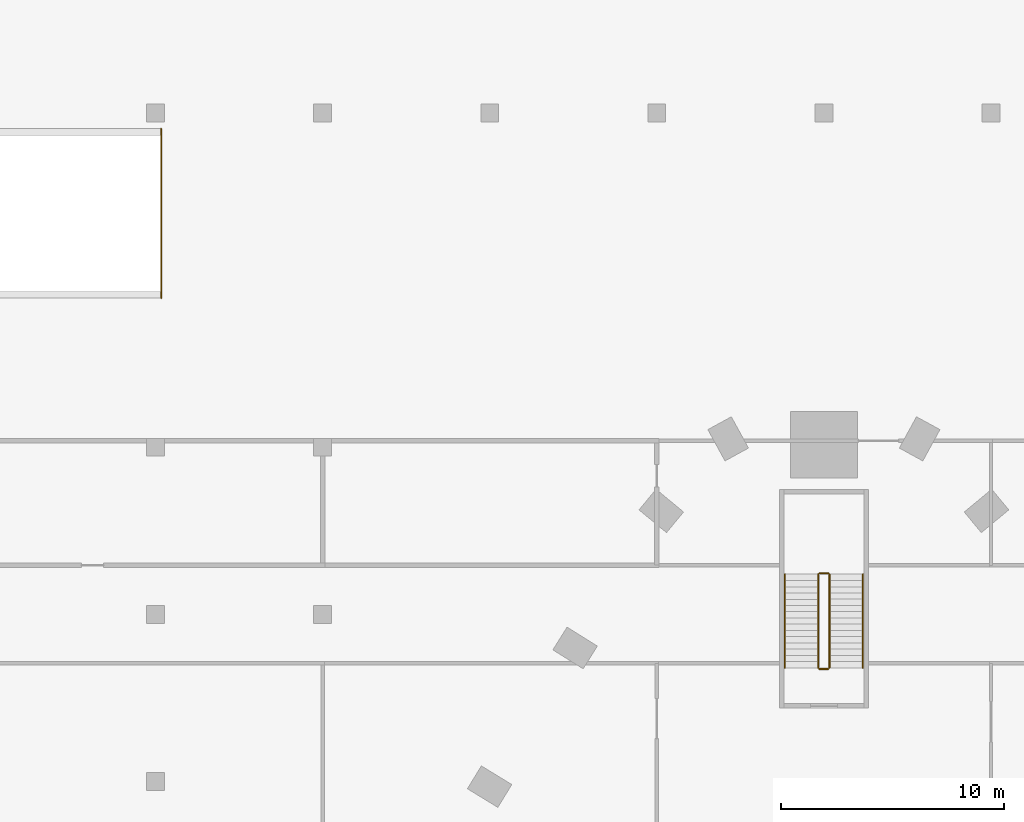
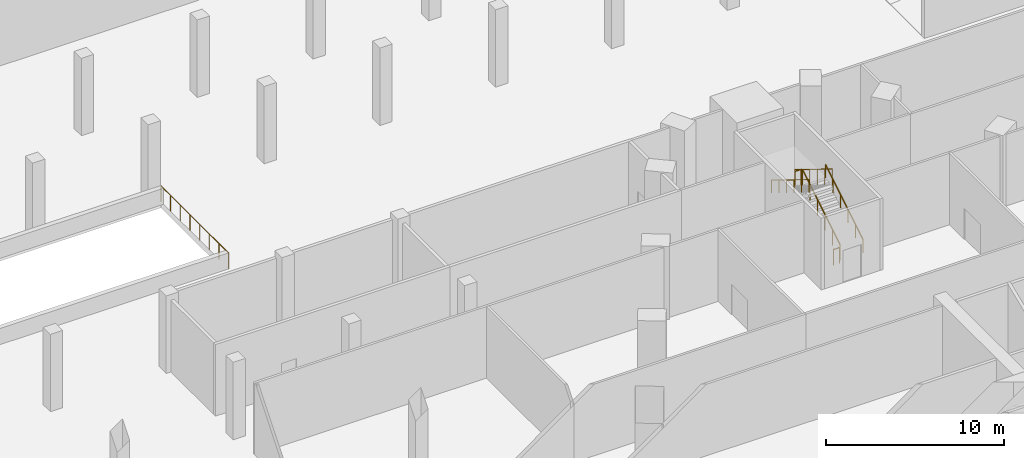
# One storey, part 19 of 20: 7 railings.
"""IFC4 building model written with IfcOpenShell, lengths in metres."""

from ifc_helpers import new_model, si_unit, direction, frame, origin, origin_2d, place, context, subcontext, project, spatial, circle, extrude, material, type_object, element, save


model = new_model("IFC4")

# Units and contexts
model_context = context("Model", 3, precision=1e-05, world=origin(), true_north=direction((0.0, 1.0)))
body_context = subcontext(model_context, "Body", "Model", "MODEL_VIEW")
ifc_project = project(units=[si_unit("LENGTHUNIT", "METRE"), si_unit("AREAUNIT", "SQUARE_METRE"), si_unit("VOLUMEUNIT", "CUBIC_METRE"), si_unit("PLANEANGLEUNIT", "RADIAN"), si_unit("MASSUNIT", "GRAM", prefix="KILO")], contexts=[model_context])

# Site, building, storey
site_placement = place(None, origin())
site = spatial("IfcSite", under=ifc_project, at=site_placement, CompositionType="ELEMENT")
building_placement = place(site_placement, origin())
building = spatial("IfcBuilding", under=site, at=building_placement, Name="Entoto Arch Interchange Tower", CompositionType="ELEMENT")
storey_placement = place(building_placement, frame((0.0, 0.0, -5.5)))
storey = spatial("IfcBuildingStorey", under=building, at=storey_placement, Name="B1", CompositionType="ELEMENT", Elevation=-5.5)

# Railings
ifc_material_1 = material(Name="Steel S355, galvanised", Category="steel")
railing_type_1 = type_object("IfcRailingType", Name="Car ramp guard 1100", PredefinedType="GUARDRAIL", material=ifc_material_1)
railing_1_placement = place(storey_placement, frame((-29.75, 51.699951171875, 0.0)))
element("IfcRailing", 1, at=railing_1_placement, inside=storey, type_object=railing_type_1, Name="Car ramp R2 guard", PredefinedType="GUARDRAIL", context=body_context, shape_type="SweptSolid", body=[
    extrude(circle(Radius=0.02392578125, at=origin_2d()), frame((0.0, 0.0, 1.076171875), z_axis=(0.0, 1.0, 0.0), x_axis=(-1.0, 0.0, 0.0)), (0.0, 0.0, 1.0), 7.60009765625),
    extrude(circle(Radius=0.02099609375, at=origin_2d()), origin(), (0.0, 0.0, 1.0), 1.052001953125),
    extrude(circle(Radius=0.02099609375, at=origin_2d()), frame((0.0, 1.085693359375, 0.0)), (0.0, 0.0, 1.0), 1.052001953125),
    extrude(circle(Radius=0.02099609375, at=origin_2d()), frame((0.0, 2.17138671875, 0.0)), (0.0, 0.0, 1.0), 1.052001953125),
    extrude(circle(Radius=0.02099609375, at=origin_2d()), frame((0.0, 3.257080078125, 0.0)), (0.0, 0.0, 1.0), 1.052001953125),
    extrude(circle(Radius=0.02099609375, at=origin_2d()), frame((0.0, 4.343017578125, 0.0)), (0.0, 0.0, 1.0), 1.052001953125),
    extrude(circle(Radius=0.02099609375, at=origin_2d()), frame((0.0, 5.4287109375, 0.0)), (0.0, 0.0, 1.0), 1.052001953125),
    extrude(circle(Radius=0.02099609375, at=origin_2d()), frame((0.0, 6.514404296875, 0.0)), (0.0, 0.0, 1.0), 1.052001953125),
    extrude(circle(Radius=0.02099609375, at=origin_2d()), frame((0.0, 7.60009765625, 0.0)), (0.0, 0.0, 1.0), 1.052001953125),
])
ifc_material_2 = material(Name="Stainless steel 1.4301", Category="steel")
railing_type_2 = type_object("IfcRailingType", Name="STAIR GUARD 1100 STEEL", PredefinedType="GUARDRAIL", material=ifc_material_2)
railing_2_placement = place(storey_placement, frame((0.25, 35.10009765625, 0.171875)))
element("IfcRailing", 2, at=railing_2_placement, inside=storey, type_object=railing_type_2, Name="B1 PST-N stair guard 1", PredefinedType="GUARDRAIL", context=body_context, shape_type="SweptSolid", body=[
    extrude(circle(Radius=0.02392578125, at=origin_2d()), frame((0.0, 0.0, 1.076171875), z_axis=(0.0, 0.852242915053, 0.523146264196), x_axis=(-1.0, 0.0, 0.0)), (0.0, 0.0, 1.0), 4.92822265625),
    extrude(circle(Radius=0.02099609375, at=origin_2d()), origin(), (0.0, 0.0, 1.0), 1.052001953125),
    extrude(circle(Radius=0.02099609375, at=origin_2d()), frame((0.0, 0.840087890625, 0.515625)), (0.0, 0.0, 1.0), 1.052001953125),
    extrude(circle(Radius=0.02099609375, at=origin_2d()), frame((0.0, 1.679931640625, 1.03125)), (0.0, 0.0, 1.0), 1.052001953125),
    extrude(circle(Radius=0.02099609375, at=origin_2d()), frame((0.0, 2.52001953125, 1.546875)), (0.0, 0.0, 1.0), 1.052001953125),
    extrude(circle(Radius=0.02099609375, at=origin_2d()), frame((0.0, 3.35986328125, 2.0625)), (0.0, 0.0, 1.0), 1.052001953125),
    extrude(circle(Radius=0.02099609375, at=origin_2d()), frame((0.0, 4.199951171875, 2.578125)), (0.0, 0.0, 1.0), 1.052001953125),
])
railing_3_placement = place(storey_placement, frame((0.199951171875, 39.35009765625, 2.75)))
element("IfcRailing", 3, at=railing_3_placement, inside=storey, type_object=railing_type_2, Name="B1 PST-N stair guard 2", PredefinedType="GUARDRAIL", context=body_context, shape_type="SweptSolid", body=[
    extrude(circle(Radius=0.02392578125, at=origin_2d()), frame((0.0, 0.0, 1.076171875), z_axis=(-1.0, 0.0, 0.0), x_axis=(0.0, -1.0, 0.0)), (0.0, 0.0, 1.0), 0.39990234375),
    extrude(circle(Radius=0.02099609375, at=origin_2d()), origin(), (0.0, 0.0, 1.0), 1.052001953125),
    extrude(circle(Radius=0.02099609375, at=origin_2d()), frame((-0.39990234375, 0.0, 0.0)), (0.0, 0.0, 1.0), 1.052001953125),
])
railing_4_placement = place(storey_placement, frame((-0.25, 39.300048828125, 2.921875)))
element("IfcRailing", 4, at=railing_4_placement, inside=storey, type_object=railing_type_2, Name="B1 PST-N stair guard 3", PredefinedType="GUARDRAIL", context=body_context, shape_type="SweptSolid", body=[
    extrude(circle(Radius=0.02392578125, at=origin_2d()), frame((0.0, 0.0, 1.076171875), z_axis=(0.0, -0.852242915053, 0.523146264196), x_axis=(1.0, 0.0, 0.0)), (0.0, 0.0, 1.0), 4.92822265625),
    extrude(circle(Radius=0.02099609375, at=origin_2d()), origin(), (0.0, 0.0, 1.0), 1.052001953125),
    extrude(circle(Radius=0.02099609375, at=origin_2d()), frame((0.0, -0.840087890625, 0.515625)), (0.0, 0.0, 1.0), 1.052001953125),
    extrude(circle(Radius=0.02099609375, at=origin_2d()), frame((0.0, -1.679931640625, 1.03125)), (0.0, 0.0, 1.0), 1.052001953125),
    extrude(circle(Radius=0.02099609375, at=origin_2d()), frame((0.0, -2.52001953125, 1.546875)), (0.0, 0.0, 1.0), 1.052001953125),
    extrude(circle(Radius=0.02099609375, at=origin_2d()), frame((0.0, -3.35986328125, 2.0625)), (0.0, 0.0, 1.0), 1.052001953125),
    extrude(circle(Radius=0.02099609375, at=origin_2d()), frame((0.0, -4.199951171875, 2.578125)), (0.0, 0.0, 1.0), 1.052001953125),
])
railing_5_placement = place(storey_placement, frame((0.199951171875, 35.050048828125, 0.0)))
element("IfcRailing", 5, at=railing_5_placement, inside=storey, type_object=railing_type_2, Name="B1 PST-N stair guard 4", PredefinedType="GUARDRAIL", context=body_context, shape_type="SweptSolid", body=[
    extrude(circle(Radius=0.02392578125, at=origin_2d()), frame((0.0, 0.0, 1.076171875), z_axis=(-1.0, 0.0, 0.0), x_axis=(0.0, -1.0, 0.0)), (0.0, 0.0, 1.0), 0.39990234375),
    extrude(circle(Radius=0.02099609375, at=origin_2d()), origin(), (0.0, 0.0, 1.0), 1.052001953125),
    extrude(circle(Radius=0.02099609375, at=origin_2d()), frame((-0.39990234375, 0.0, 0.0)), (0.0, 0.0, 1.0), 1.052001953125),
])
railing_type_3 = type_object("IfcRailingType", Name="STAIR HANDRAIL 900 STEEL", PredefinedType="HANDRAIL", material=ifc_material_2)
railing_6_placement = place(storey_placement, frame((1.75, 35.10009765625, 0.171875)))
element("IfcRailing", 6, at=railing_6_placement, inside=storey, type_object=railing_type_3, Name="B1 PST-N stair handrail 1", PredefinedType="HANDRAIL", context=body_context, shape_type="SweptSolid", body=[
    extrude(circle(Radius=0.02392578125, at=origin_2d()), frame((0.0, 0.0, 0.8759765625), z_axis=(0.0, 0.852242915053, 0.523146264196), x_axis=(-1.0, 0.0, 0.0)), (0.0, 0.0, 1.0), 4.92822265625),
    extrude(circle(Radius=0.02099609375, at=origin_2d()), origin(), (0.0, 0.0, 1.0), 0.851806640625),
    extrude(circle(Radius=0.02099609375, at=origin_2d()), frame((0.0, 0.840087890625, 0.515625)), (0.0, 0.0, 1.0), 0.851806640625),
    extrude(circle(Radius=0.02099609375, at=origin_2d()), frame((0.0, 1.679931640625, 1.03125)), (0.0, 0.0, 1.0), 0.851806640625),
    extrude(circle(Radius=0.02099609375, at=origin_2d()), frame((0.0, 2.52001953125, 1.546875)), (0.0, 0.0, 1.0), 0.851806640625),
    extrude(circle(Radius=0.02099609375, at=origin_2d()), frame((0.0, 3.35986328125, 2.0625)), (0.0, 0.0, 1.0), 0.851806640625),
    extrude(circle(Radius=0.02099609375, at=origin_2d()), frame((0.0, 4.199951171875, 2.578125)), (0.0, 0.0, 1.0), 0.851806640625),
])
railing_7_placement = place(storey_placement, frame((-1.75, 39.300048828125, 2.921875)))
element("IfcRailing", 7, at=railing_7_placement, inside=storey, type_object=railing_type_3, Name="B1 PST-N stair handrail 2", PredefinedType="HANDRAIL", context=body_context, shape_type="SweptSolid", body=[
    extrude(circle(Radius=0.02392578125, at=origin_2d()), frame((0.0, 0.0, 0.8759765625), z_axis=(0.0, -0.852242915053, 0.523146264196), x_axis=(1.0, 0.0, 0.0)), (0.0, 0.0, 1.0), 4.92822265625),
    extrude(circle(Radius=0.02099609375, at=origin_2d()), origin(), (0.0, 0.0, 1.0), 0.851806640625),
    extrude(circle(Radius=0.02099609375, at=origin_2d()), frame((0.0, -0.840087890625, 0.515625)), (0.0, 0.0, 1.0), 0.851806640625),
    extrude(circle(Radius=0.02099609375, at=origin_2d()), frame((0.0, -1.679931640625, 1.03125)), (0.0, 0.0, 1.0), 0.851806640625),
    extrude(circle(Radius=0.02099609375, at=origin_2d()), frame((0.0, -2.52001953125, 1.546875)), (0.0, 0.0, 1.0), 0.851806640625),
    extrude(circle(Radius=0.02099609375, at=origin_2d()), frame((0.0, -3.35986328125, 2.0625)), (0.0, 0.0, 1.0), 0.851806640625),
    extrude(circle(Radius=0.02099609375, at=origin_2d()), frame((0.0, -4.199951171875, 2.578125)), (0.0, 0.0, 1.0), 0.851806640625),
])

save(model, "model.ifc")
